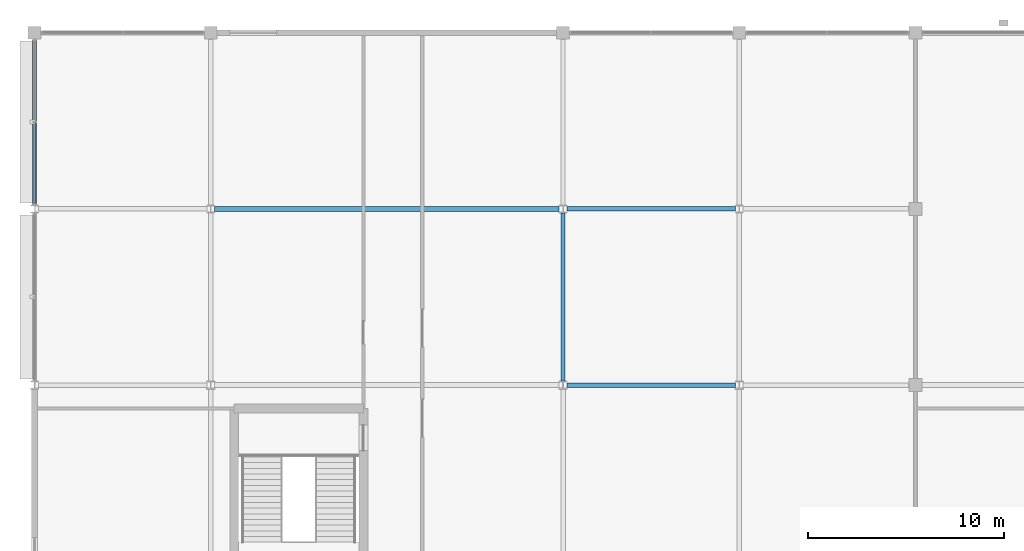
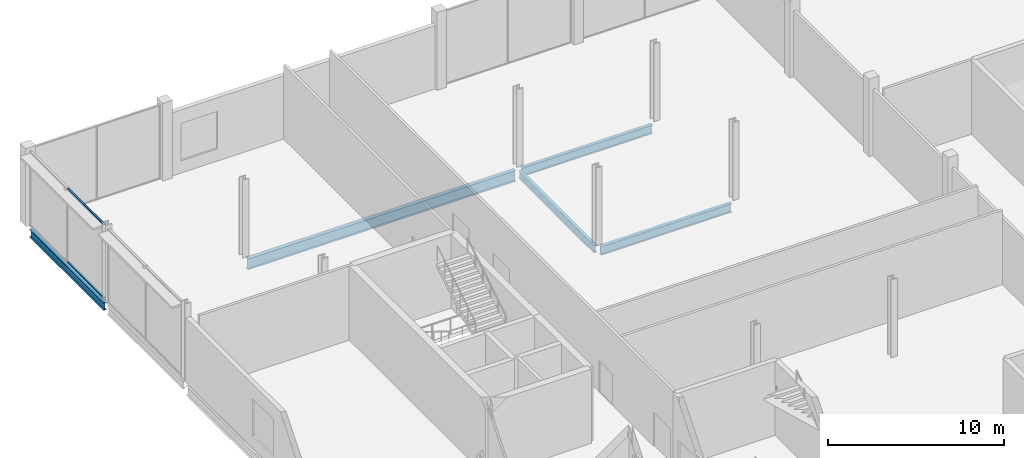
# One storey, part 31 of 113: 5 beams, 2 members, 1 element without a shape of its own.
"""IFC4 building model written with IfcOpenShell, lengths in metres."""

from ifc_helpers import new_model, si_unit, direction, frame, origin, origin_2d, place, context, subcontext, project, spatial, rectangle, i_section, extrude, material, layer, layer_set, material_profile, profile_set, type_object, element, aggregate, save


model = new_model("IFC4")

# Units and contexts
model_context = context("Model", 3, precision=1e-05, world=origin(), true_north=direction((0.0, 1.0)))
body_context = subcontext(model_context, "Body", "Model", "MODEL_VIEW")
ifc_project = project(units=[si_unit("LENGTHUNIT", "METRE"), si_unit("AREAUNIT", "SQUARE_METRE"), si_unit("VOLUMEUNIT", "CUBIC_METRE"), si_unit("PLANEANGLEUNIT", "RADIAN"), si_unit("MASSUNIT", "GRAM", prefix="KILO")], contexts=[model_context])

# Site, building, storey
site_placement = place(None, origin())
site = spatial("IfcSite", under=ifc_project, at=site_placement, CompositionType="ELEMENT")
building_placement = place(site_placement, origin())
building = spatial("IfcBuilding", under=site, at=building_placement, Name="Kisiwana Market Hall", CompositionType="ELEMENT")
storey_placement = place(building_placement, frame((0.0, 0.0, 6.0)))
storey = spatial("IfcBuildingStorey", under=building, at=storey_placement, Name="L01", CompositionType="ELEMENT", Elevation=6.0)

# Beams
ifc_material_1 = material(Name="Steel S355", Category="steel")
ifc_material_profile_1 = material_profile(ifc_material_1, i_section(OverallWidth=0.209228515625, OverallDepth=0.533203125, WebThickness=0.010009765625, FlangeThickness=0.015625, at=origin_2d()), Name="UB 533x210x92")
ifc_profile_set_1 = profile_set([ifc_material_profile_1], Name="Steel S355")
beam_type_1 = type_object("IfcBeamType", Name="BM-GIRD-UB533", PredefinedType="BEAM", material=ifc_profile_set_1)
beam_1_placement = place(storey_placement, frame((0.0, 111.19921875, -0.5166015625), z_axis=(0.0, 1.0, 0.0), x_axis=(-1.0, 0.0, 0.0)))
element("IfcBeam", 1, at=beam_1_placement, inside=storey, type_object=beam_type_1, Name="Floor beam B-0562", PredefinedType="BEAM", context=body_context, shape_type="SweptSolid", body=[
    extrude(i_section(OverallWidth=0.209228515625, OverallDepth=0.533203125, WebThickness=0.010009765625, FlangeThickness=0.015625, at=origin_2d()), origin(), (0.0, 0.0, 1.0), 8.454833984375),
])
beam_2_placement = place(storey_placement, frame((27.0, 102.21337890625, -0.5166015625), z_axis=(0.0, 1.0, 0.0), x_axis=(-1.0, 0.0, 0.0)))
element("IfcBeam", 2, at=beam_2_placement, inside=storey, type_object=beam_type_1, Name="Primary girder B-0343", PredefinedType="BEAM", context=body_context, shape_type="SweptSolid", body=[
    extrude(i_section(OverallWidth=0.209228515625, OverallDepth=0.533203125, WebThickness=0.010009765625, FlangeThickness=0.015625, at=origin_2d()), origin(), (0.0, 0.0, 1.0), 8.58740234375),
])
ifc_material_2 = material(Name="Steel S355", Category="steel")
ifc_material_profile_2 = material_profile(ifc_material_2, i_section(OverallWidth=0.22900390625, OverallDepth=0.6123046875, WebThickness=0.011962890625, FlangeThickness=0.01953125, at=origin_2d()), Name="UB 610x229x125")
ifc_profile_set_2 = profile_set([ifc_material_profile_2], Name="Steel S355")
beam_type_2 = type_object("IfcBeamType", Name="BM-GIRD-UB610H", PredefinedType="BEAM", material=ifc_profile_set_2)
beam_3_placement = place(storey_placement, frame((27.201904296875, 102.0, -0.55615234375), z_axis=(1.0, 0.0, 0.0), x_axis=(0.0, 1.0, 0.0)))
element("IfcBeam", 3, at=beam_3_placement, inside=storey, type_object=beam_type_2, Name="Floor beam B-0521", PredefinedType="BEAM", context=body_context, shape_type="SweptSolid", body=[
    extrude(i_section(OverallWidth=0.22900390625, OverallDepth=0.6123046875, WebThickness=0.011962890625, FlangeThickness=0.01953125, at=origin_2d()), origin(), (0.0, 0.0, 1.0), 8.59619140625),
])
beam_4_placement = place(storey_placement, frame((27.197509765625, 111.0, -0.55615234375), z_axis=(1.0, 0.0, 0.0), x_axis=(0.0, 1.0, 0.0)))
element("IfcBeam", 4, at=beam_4_placement, inside=storey, type_object=beam_type_2, Name="Floor beam B-0535", PredefinedType="BEAM", context=body_context, shape_type="SweptSolid", body=[
    extrude(i_section(OverallWidth=0.22900390625, OverallDepth=0.6123046875, WebThickness=0.011962890625, FlangeThickness=0.01953125, at=origin_2d()), origin(), (0.0, 0.0, 1.0), 8.60498046875),
])
ifc_material_3 = material(Name="Steel S355", Category="steel")
ifc_material_profile_3 = material_profile(ifc_material_3, i_section(OverallWidth=0.2666015625, OverallDepth=0.76220703125, WebThickness=0.014404296875, FlangeThickness=0.021484375, at=origin_2d()), Name="UB 762x267x173")
ifc_profile_set_3 = profile_set([ifc_material_profile_3], Name="Steel S355")
beam_type_3 = type_object("IfcBeamType", Name="BM-GIRD-UB762", PredefinedType="BEAM", material=ifc_profile_set_3)
beam_5_placement = place(storey_placement, frame((9.197509765625, 111.0, -0.631103515625), z_axis=(1.0, 0.0, 0.0), x_axis=(0.0, 1.0, 0.0)))
element("IfcBeam", 5, at=beam_5_placement, inside=storey, type_object=beam_type_3, Name="Floor beam B-0534", PredefinedType="BEAM", context=body_context, shape_type="SweptSolid", body=[
    extrude(i_section(OverallWidth=0.2666015625, OverallDepth=0.76220703125, WebThickness=0.014404296875, FlangeThickness=0.021484375, at=origin_2d()), origin(), (0.0, 0.0, 1.0), 17.60498046875),
])

# Curtain wall, members
ifc_material_4 = material(Name="Double-glazed solar-control low-E IGU", Category="glass")
ifc_layer = layer(ifc_material_4, 0.159912109375)
ifc_layer_set = layer_set([ifc_layer], Name="CW-FC-S-7600")
curtain_wall_type = type_object("IfcCurtainWallType", Name="CW-FC-S-7600", PredefinedType="USERDEFINED", material=ifc_layer_set)
curtain_wall_placement = place(storey_placement, origin())
curtain_wall = element("IfcCurtainWall", 6, at=curtain_wall_placement, inside=storey, type_object=curtain_wall_type, Name="Unitised curtain wall CW-048 (L01)", ObjectType="UNITISED CURTAIN WALL", PredefinedType="USERDEFINED")
ifc_material_5 = material(Name="Aluminium alloy 6063-T6", Category="aluminium")
ifc_material_profile_4 = material_profile(ifc_material_5, rectangle(XDim=0.1201171875, YDim=0.06005859375, at=origin_2d()), Name="ALU TRANSOM 60x120")
ifc_profile_set_4 = profile_set([ifc_material_profile_4], Name="Aluminium alloy 6063-T6")
member_type = type_object("IfcMemberType", Name="CW-TRAN-60x120", PredefinedType="USERDEFINED", material=ifc_profile_set_4)
member_1_placement = place(storey_placement, frame((0.0, 111.26318359375, 0.030029296875), z_axis=(0.0, 1.0, 0.0), x_axis=(-1.0, 0.0, 0.0)))
member_1 = element("IfcMember", 7, at=member_1_placement, type_object=member_type, Name="CW-048 transom 1.1", ObjectType="TRANSOM", PredefinedType="USERDEFINED", context=body_context, shape_type="SweptSolid", body=[
    extrude(rectangle(XDim=0.1201171875, YDim=0.06005859375, at=origin_2d()), origin(), (0.0, 0.0, 1.0), 4.14599609375),
])
member_2_placement = place(storey_placement, frame((0.0, 111.26318359375, 5.1201171875), z_axis=(0.0, 1.0, 0.0), x_axis=(-1.0, 0.0, 0.0)))
member_2 = element("IfcMember", 8, at=member_2_placement, type_object=member_type, Name="CW-048 transom 1.2", ObjectType="TRANSOM", PredefinedType="USERDEFINED", context=body_context, shape_type="SweptSolid", body=[
    extrude(rectangle(XDim=0.1201171875, YDim=0.06005859375, at=origin_2d()), origin(), (0.0, 0.0, 1.0), 4.14599609375),
])
aggregate(curtain_wall, [member_1, member_2])

save(model, "model.ifc")
